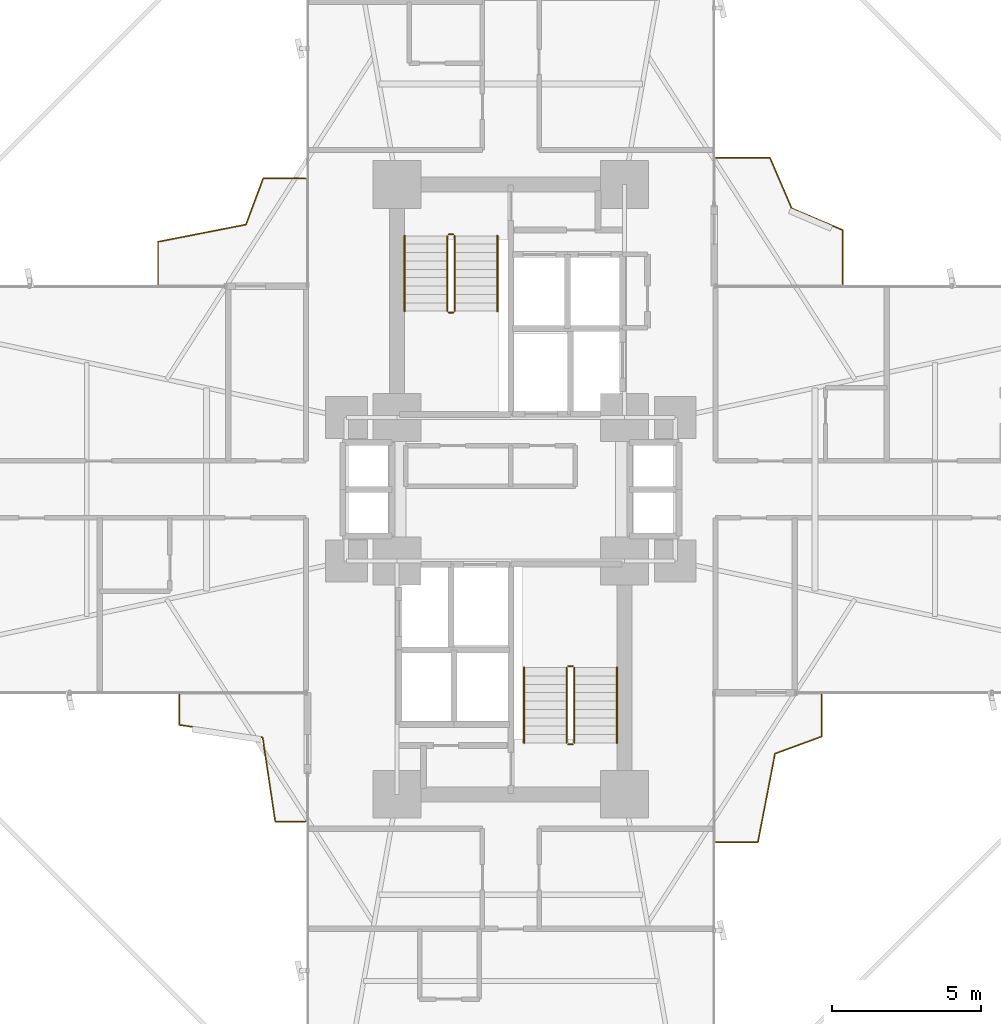
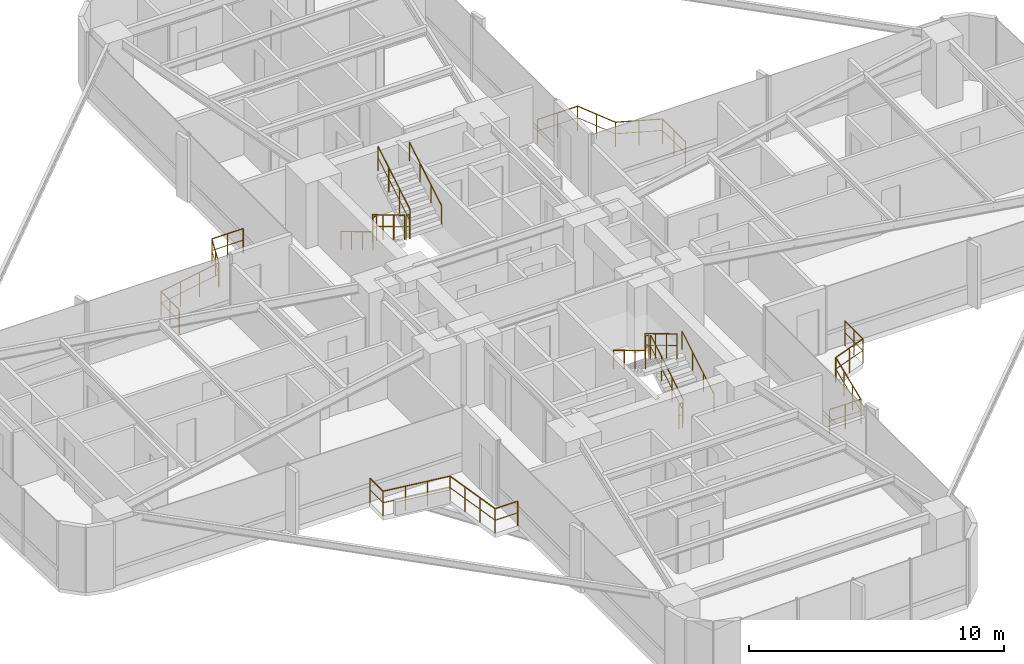
# One storey, part 26 of 26: 16 railings.
"""IFC4 building model written with IfcOpenShell, lengths in metres."""

import ifcopenshell
import ifcopenshell.guid

model = None  # the IFC model being written
_history = None  # IfcOwnerHistory: only IFC2X3 demands one
_inside = {}  # id of a spatial element -> (the spatial element, [elements in it])
_under = {}  # id of a project, library or spatial element -> (it, [spatial elements below it])
_declared = {}  # id of a project -> (the project, [libraries it declares])
_typed = {}  # id of a type object -> (the type object, [elements of that type])
_made_of = {}  # id of a material, layer set ... -> (it, [elements and type objects made of it])


def new_model(schema):
    """Start an empty IFC model of exactly this schema.

    Asked for "IFC4X3", IfcOpenShell would pick the latest addendum, in which some entities
    have other attributes; the version numbers below select the first issue.
    IFC2X3 requires an IfcOwnerHistory on every rooted entity: one is made here for all.
    """
    global model, _history
    if schema == "IFC4X3":
        model = ifcopenshell.file(schema_version=(4, 3, 0, 0))
    else:
        model = ifcopenshell.file(schema=schema)
    _inside.clear()
    _under.clear()
    _declared.clear()
    _typed.clear()
    _made_of.clear()
    _history = None
    if model.schema == "IFC2X3":
        org = make("IfcOrganization", Name="unknown")
        user = make(
            "IfcPersonAndOrganization",
            ThePerson=make("IfcPerson", FamilyName="unknown"),
            TheOrganization=org,
        )
        app = make(
            "IfcApplication",
            ApplicationDeveloper=org,
            Version="unknown",
            ApplicationFullName="unknown",
            ApplicationIdentifier="unknown",
        )
        _history = make(
            "IfcOwnerHistory",
            OwningUser=user,
            OwningApplication=app,
            ChangeAction="ADDED",
            CreationDate=0,
        )
    return model


def make(cls, **values):
    """One entity of the class cls with the attributes given. An attribute that is None is left unset."""
    return model.create_entity(
        cls, **{name: value for name, value in values.items() if value is not None}
    )


def rooted(cls, **values):
    """An entity with a GlobalId (a new one), such as an element, a storey or a relation."""
    return make(cls, GlobalId=ifcopenshell.guid.new(), OwnerHistory=_history, **values)


def si_unit(unit_type, name, prefix=None):
    """IfcSIUnit, for example si_unit("LENGTHUNIT", "METRE", prefix="MILLI")."""
    return make("IfcSIUnit", UnitType=unit_type, Prefix=prefix, Name=name)


def assignment(units):
    """IfcUnitAssignment: the units of a project."""
    return None if units is None else make("IfcUnitAssignment", Units=units)


def point(xyz):
    """IfcCartesianPoint."""
    return None if xyz is None else make("IfcCartesianPoint", Coordinates=xyz)


def direction(xyz):
    """IfcDirection."""
    return None if xyz is None else make("IfcDirection", DirectionRatios=xyz)


def frame(location, z_axis=None, x_axis=None):
    """IfcAxis2Placement3D, a coordinate frame: its origin and axes. An axis left out is left unset."""
    return make(
        "IfcAxis2Placement3D",
        Location=point(location),
        Axis=direction(z_axis),
        RefDirection=direction(x_axis),
    )


def frame_2d(location, x_axis=None):
    """IfcAxis2Placement2D, a coordinate frame in the plane: its origin and x axis."""
    return make(
        "IfcAxis2Placement2D", Location=point(location), RefDirection=direction(x_axis)
    )


def origin():
    """The frame at (0, 0, 0) with its axes left unset."""
    return frame((0.0, 0.0, 0.0))


def origin_2d():
    """The frame at (0, 0) in the plane with its x axis left unset."""
    return frame_2d((0.0, 0.0))


def place(relative_to, where):
    """IfcLocalPlacement: puts the frame where relative to a parent placement (None: the world)."""
    return make(
        "IfcLocalPlacement", PlacementRelTo=relative_to, RelativePlacement=where
    )


def context(
    kind, dimensions, precision=None, world=None, true_north=None, identifier=None
):
    """IfcGeometricRepresentationContext, for example the 3D "Model" context."""
    return make(
        "IfcGeometricRepresentationContext",
        ContextIdentifier=identifier,
        ContextType=kind,
        CoordinateSpaceDimension=dimensions,
        Precision=precision,
        WorldCoordinateSystem=world,
        TrueNorth=true_north,
    )


def subcontext(parent, identifier, kind, view, scale=None):
    """IfcGeometricRepresentationSubContext, for example "Body" below "Model"."""
    return make(
        "IfcGeometricRepresentationSubContext",
        ContextIdentifier=identifier,
        ContextType=kind,
        ParentContext=parent,
        TargetScale=scale,
        TargetView=view,
    )


def project(units=None, contexts=None):
    """IfcProject with its units and contexts."""
    return rooted(
        "IfcProject",
        Name="project",
        RepresentationContexts=contexts,
        UnitsInContext=assignment(units),
    )


def spatial(cls, under=None, at=None, **own):
    """A site, building, storey or space (cls), placed at a placement, below another one or the project."""
    s = rooted(cls, ObjectPlacement=at, **own)
    if under is not None:
        _under.setdefault(under.id(), (under, []))[1].append(s)
    return s


def profile(cls, at=None, kind="AREA", **sizes):
    """A parametric profile (cls). Its sizes go by their IFC names, for example OverallWidth=200.0."""
    return make(cls, ProfileType=kind, Position=at, **sizes)


def circle(**sizes):
    """IfcCircleProfileDef."""
    return profile("IfcCircleProfileDef", **sizes)


def extrude(swept, where, along, depth):
    """IfcExtrudedAreaSolid: the profile swept, set in the frame where, extruded along a direction by depth."""
    return make(
        "IfcExtrudedAreaSolid",
        SweptArea=swept,
        Position=where,
        ExtrudedDirection=direction(along),
        Depth=depth,
    )


def shape(context_of_items, identifier, shape_type, items):
    """IfcShapeRepresentation: the items that make up one representation, for example the "Body"."""
    return make(
        "IfcShapeRepresentation",
        ContextOfItems=context_of_items,
        RepresentationIdentifier=identifier,
        RepresentationType=shape_type,
        Items=items,
    )


def material(Name=None, Category=None):
    """IfcMaterial."""
    return make("IfcMaterial", Name=Name, Category=Category)


def made_of(thing, what):
    """Note that an element or type object is made of a material, layer set ...; save() writes the relation."""
    if what is not None:
        _made_of.setdefault(what.id(), (what, []))[1].append(thing)
    return thing


def type_object(cls, material=None, **own):
    """A type object (cls), such as IfcWallType, which elements share."""
    return made_of(rooted(cls, **own), material)


def element(
    cls,
    number,
    at=None,
    inside=None,
    cuts=None,
    type_object=None,
    material=None,
    context=None,
    identifier="Body",
    shape_type=None,
    held_by="IfcProductDefinitionShape",
    body=None,
    shapes=None,
    **own,
):
    """One element of the class cls, such as IfcWall. Its Tag is "e" and its number.

    at: its placement. inside: the storey or other place that contains it. cuts: it is an
    opening in that element (IfcRelVoidsElement). A single representation is given by context,
    identifier, shape_type and body (its items); several are given by shapes. held_by: the class
    of the entity that holds the representations. save() writes the other relations.
    """
    e = rooted(cls, Tag="e%d" % number, ObjectPlacement=at, **own)
    if body is not None:
        shapes = [shape(context, identifier, shape_type, body)]
    if shapes is not None:
        e.Representation = make(held_by, Representations=shapes)
    if inside is not None:
        _inside.setdefault(inside.id(), (inside, []))[1].append(e)
    if cuts is not None:
        rooted(
            "IfcRelVoidsElement", RelatingBuildingElement=cuts, RelatedOpeningElement=e
        )
    if type_object is not None:
        _typed.setdefault(type_object.id(), (type_object, []))[1].append(e)
    return made_of(e, material)


def aggregate(whole, parts):
    """IfcRelAggregates: a whole, such as a stair, and the parts it consists of."""
    return rooted("IfcRelAggregates", RelatingObject=whole, RelatedObjects=parts)


def save(model, path):
    """Write the relations noted so far, then the file.

    IfcRelAggregates (storeys below a building ...), IfcRelContainedInSpatialStructure (elements
    in a storey), IfcRelDefinesByType, IfcRelAssociatesMaterial and IfcRelDeclares: one each for
    every whole, place, type object, material and project.
    """
    for whole, parts in _under.values():
        aggregate(whole, parts)
    for where, things in _inside.values():
        rooted(
            "IfcRelContainedInSpatialStructure",
            RelatedElements=things,
            RelatingStructure=where,
        )
    for kind, things in _typed.values():
        rooted("IfcRelDefinesByType", RelatedObjects=things, RelatingType=kind)
    for what, things in _made_of.values():
        rooted("IfcRelAssociatesMaterial", RelatedObjects=things, RelatingMaterial=what)
    for by, libraries in _declared.values():
        rooted("IfcRelDeclares", RelatingContext=by, RelatedDefinitions=libraries)
    model.write(path)


model = new_model("IFC4")

# Units and contexts
model_context = context("Model", 3, precision=1e-05, world=origin(), true_north=direction((0.0, 1.0)))
body_context = subcontext(model_context, "Body", "Model", "MODEL_VIEW")
ifc_project = project(units=[si_unit("LENGTHUNIT", "METRE"), si_unit("AREAUNIT", "SQUARE_METRE"), si_unit("VOLUMEUNIT", "CUBIC_METRE"), si_unit("PLANEANGLEUNIT", "RADIAN"), si_unit("MASSUNIT", "GRAM", prefix="KILO")], contexts=[model_context])

# Site, building, storey
site_placement = place(None, origin())
site = spatial("IfcSite", under=ifc_project, at=site_placement, CompositionType="ELEMENT")
building_placement = place(site_placement, origin())
building = spatial("IfcBuilding", under=site, at=building_placement, Name="Sahyath Konkavel Grand Hotel", CompositionType="ELEMENT")
storey_placement = place(building_placement, frame((0.0, 0.0, 26.449951171875)))
storey = spatial("IfcBuildingStorey", under=building, at=storey_placement, Name="L06", CompositionType="ELEMENT", Elevation=26.449951171875)

# Railings
ifc_material_1 = material(Name="Anodised Bronze Aluminium", Category="aluminium")
railing_type_1 = type_object("IfcRailingType", Name="RLG-BALC-1200", PredefinedType="GUARDRAIL", material=ifc_material_1)
railing_1_placement = place(storey_placement, frame((11.111083984375, 6.860107421875, 0.0)))
element("IfcRailing", 1, at=railing_1_placement, inside=storey, type_object=railing_type_1, Name="L06 Winter-Garden Guard NE", PredefinedType="GUARDRAIL", context=body_context, shape_type="SweptSolid", body=[
    extrude(circle(Radius=0.02392578125, at=origin_2d()), frame((0.0, 0.001953125, 1.17578125), z_axis=(0.0, 1.0, 0.0), x_axis=(-1.0, 0.0, 0.0)), (0.0, 0.0, 1.0), 1.80810546875),
    extrude(circle(Radius=0.01416015625, at=origin_2d()), frame((0.0, 0.001953125, 0.6240234375), z_axis=(0.0, 1.0, 0.0), x_axis=(-1.0, 0.0, 0.0)), (0.0, 0.0, 1.0), 1.80810546875),
    extrude(circle(Radius=0.02392578125, at=origin_2d()), frame((-0.001953125, 1.812744140625, 1.17578125), z_axis=(-0.920228090811, 0.391382499459, 0.0), x_axis=(-0.391382499459, -0.920228090811, 0.0)), (0.0, 0.0, 1.0), 1.85546875),
    extrude(circle(Radius=0.01416015625, at=origin_2d()), frame((-0.001953125, 1.812744140625, 0.6240234375), z_axis=(-0.920228090811, 0.391382499459, 0.0), x_axis=(-0.391382499459, -0.920228090811, 0.0)), (0.0, 0.0, 1.0), 1.85546875),
    extrude(circle(Radius=0.02392578125, at=origin_2d()), frame((-1.7119140625, 2.541748046875, 1.17578125), z_axis=(-0.395680735955, 0.91838812884, 0.0), x_axis=(-0.91838812884, -0.395680735955, 0.0)), (0.0, 0.0, 1.0), 1.835205078125),
    extrude(circle(Radius=0.01416015625, at=origin_2d()), frame((-1.7119140625, 2.541748046875, 0.6240234375), z_axis=(-0.395680735955, 0.91838812884, 0.0), x_axis=(-0.91838812884, -0.395680735955, 0.0)), (0.0, 0.0, 1.0), 1.835205078125),
    extrude(circle(Radius=0.02392578125, at=origin_2d()), frame((-2.44091796875, 4.22900390625, 1.17578125), z_axis=(-1.0, 0.0, 0.0), x_axis=(0.0, -1.0, 0.0)), (0.0, 0.0, 1.0), 1.80810546875),
    extrude(circle(Radius=0.01416015625, at=origin_2d()), frame((-2.44091796875, 4.22900390625, 0.6240234375), z_axis=(-1.0, 0.0, 0.0), x_axis=(0.0, -1.0, 0.0)), (0.0, 0.0, 1.0), 1.80810546875),
    extrude(circle(Radius=0.02099609375, at=origin_2d()), origin(), (0.0, 0.0, 1.0), 1.15185546875),
    extrude(circle(Radius=0.02099609375, at=origin_2d()), frame((0.0, 0.906005859375, 0.0)), (0.0, 0.0, 1.0), 1.15185546875),
    extrude(circle(Radius=0.02099609375, at=origin_2d()), frame((0.0, 1.81201171875, 0.0)), (0.0, 0.0, 1.0), 1.15185546875),
    extrude(circle(Radius=0.02099609375, at=origin_2d()), frame((-0.85546875, 2.17578125, 0.0)), (0.0, 0.0, 1.0), 1.15185546875),
    extrude(circle(Radius=0.02099609375, at=origin_2d()), frame((-1.711181640625, 2.539794921875, 0.0)), (0.0, 0.0, 1.0), 1.15185546875),
    extrude(circle(Radius=0.02099609375, at=origin_2d()), frame((-2.0751953125, 3.38427734375, 0.0)), (0.0, 0.0, 1.0), 1.15185546875),
    extrude(circle(Radius=0.02099609375, at=origin_2d()), frame((-2.43896484375, 4.22900390625, 0.0)), (0.0, 0.0, 1.0), 1.15185546875),
    extrude(circle(Radius=0.02099609375, at=origin_2d()), frame((-3.344970703125, 4.22900390625, 0.0)), (0.0, 0.0, 1.0), 1.15185546875),
    extrude(circle(Radius=0.02099609375, at=origin_2d()), frame((-4.2509765625, 4.22900390625, 0.0)), (0.0, 0.0, 1.0), 1.15185546875),
])
railing_2_placement = place(storey_placement, frame((-6.860107421875, 10.39990234375, 0.0)))
element("IfcRailing", 2, at=railing_2_placement, inside=storey, type_object=railing_type_1, Name="L06 Winter-Garden Guard NW", PredefinedType="GUARDRAIL", context=body_context, shape_type="SweptSolid", body=[
    extrude(circle(Radius=0.02392578125, at=origin_2d()), frame((-0.001953125, 0.0, 1.17578125), z_axis=(-1.0, 0.0, 0.0), x_axis=(0.0, -1.0, 0.0)), (0.0, 0.0, 1.0), 1.41845703125),
    extrude(circle(Radius=0.01416015625, at=origin_2d()), frame((-0.001953125, 0.0, 0.6240234375), z_axis=(-1.0, 0.0, 0.0), x_axis=(0.0, -1.0, 0.0)), (0.0, 0.0, 1.0), 1.41845703125),
    extrude(circle(Radius=0.02392578125, at=origin_2d()), frame((-1.423095703125, -0.001953125, 1.17578125), z_axis=(-0.350342760959, -0.936621561701, 0.0), x_axis=(0.936621561701, -0.350342760959, 0.0)), (0.0, 0.0, 1.0), 1.641357421875),
    extrude(circle(Radius=0.01416015625, at=origin_2d()), frame((-1.423095703125, -0.001953125, 0.6240234375), z_axis=(-0.350342760959, -0.936621561701, 0.0), x_axis=(0.936621561701, -0.350342760959, 0.0)), (0.0, 0.0, 1.0), 1.641357421875),
    extrude(circle(Radius=0.02392578125, at=origin_2d()), frame((-2.000732421875, -1.54150390625, 1.17578125), z_axis=(-0.9813315391, -0.192323712444, 0.0), x_axis=(0.192323712444, -0.9813315391, 0.0)), (0.0, 0.0, 1.0), 2.9931640625),
    extrude(circle(Radius=0.01416015625, at=origin_2d()), frame((-2.000732421875, -1.54150390625, 0.6240234375), z_axis=(-0.9813315391, -0.192323712444, 0.0), x_axis=(0.192323712444, -0.9813315391, 0.0)), (0.0, 0.0, 1.0), 2.9931640625),
    extrude(circle(Radius=0.02392578125, at=origin_2d()), frame((-4.93994140625, -2.119384765625, 1.17578125), z_axis=(0.0, -1.0, 0.0), x_axis=(1.0, 0.0, 0.0)), (0.0, 0.0, 1.0), 1.41845703125),
    extrude(circle(Radius=0.01416015625, at=origin_2d()), frame((-4.93994140625, -2.119384765625, 0.6240234375), z_axis=(0.0, -1.0, 0.0), x_axis=(1.0, 0.0, 0.0)), (0.0, 0.0, 1.0), 1.41845703125),
    extrude(circle(Radius=0.02099609375, at=origin_2d()), origin(), (0.0, 0.0, 1.0), 1.15185546875),
    extrude(circle(Radius=0.02099609375, at=origin_2d()), frame((-0.711181640625, 0.0, 0.0)), (0.0, 0.0, 1.0), 1.15185546875),
    extrude(circle(Radius=0.02099609375, at=origin_2d()), frame((-1.42236328125, 0.0, 0.0)), (0.0, 0.0, 1.0), 1.15185546875),
    extrude(circle(Radius=0.02099609375, at=origin_2d()), frame((-1.71044921875, -0.7705078125, 0.0)), (0.0, 0.0, 1.0), 1.15185546875),
    extrude(circle(Radius=0.02099609375, at=origin_2d()), frame((-1.998779296875, -1.541015625, 0.0)), (0.0, 0.0, 1.0), 1.15185546875),
    extrude(circle(Radius=0.02099609375, at=origin_2d()), frame((-2.979248046875, -1.733154296875, 0.0)), (0.0, 0.0, 1.0), 1.15185546875),
    extrude(circle(Radius=0.02099609375, at=origin_2d()), frame((-3.95947265625, -1.92529296875, 0.0)), (0.0, 0.0, 1.0), 1.15185546875),
    extrude(circle(Radius=0.02099609375, at=origin_2d()), frame((-4.93994140625, -2.117431640625, 0.0)), (0.0, 0.0, 1.0), 1.15185546875),
    extrude(circle(Radius=0.02099609375, at=origin_2d()), frame((-4.93994140625, -2.82861328125, 0.0)), (0.0, 0.0, 1.0), 1.15185546875),
    extrude(circle(Radius=0.02099609375, at=origin_2d()), frame((-4.93994140625, -3.539794921875, 0.0)), (0.0, 0.0, 1.0), 1.15185546875),
])
railing_3_placement = place(storey_placement, frame((-11.089111328125, -6.860107421875, 0.0)))
element("IfcRailing", 3, at=railing_3_placement, inside=storey, type_object=railing_type_1, Name="L06 Winter-Garden Guard SW", PredefinedType="GUARDRAIL", context=body_context, shape_type="SweptSolid", body=[
    extrude(circle(Radius=0.02392578125, at=origin_2d()), frame((0.0, -0.001953125, 1.17578125), z_axis=(0.0, -1.0, 0.0), x_axis=(1.0, 0.0, 0.0)), (0.0, 0.0, 1.0), 1.015869140625),
    extrude(circle(Radius=0.01416015625, at=origin_2d()), frame((0.0, -0.001953125, 0.6240234375), z_axis=(0.0, -1.0, 0.0), x_axis=(1.0, 0.0, 0.0)), (0.0, 0.0, 1.0), 1.015869140625),
    extrude(circle(Radius=0.02392578125, at=origin_2d()), frame((0.001953125, -1.02001953125, 1.17578125), z_axis=(0.988842188956, -0.148966859873, 0.0), x_axis=(0.148966859873, 0.988842188956, 0.0)), (0.0, 0.0, 1.0), 2.816650390625),
    extrude(circle(Radius=0.01416015625, at=origin_2d()), frame((0.001953125, -1.02001953125, 0.6240234375), z_axis=(0.988842188956, -0.148966859873, 0.0), x_axis=(0.148966859873, 0.988842188956, 0.0)), (0.0, 0.0, 1.0), 2.816650390625),
    extrude(circle(Radius=0.02392578125, at=origin_2d()), frame((2.789306640625, -1.44189453125, 1.17578125), z_axis=(0.147827993831, -0.98901308598, 0.0), x_axis=(0.98901308598, 0.147827993831, 0.0)), (0.0, 0.0, 1.0), 2.83837890625),
    extrude(circle(Radius=0.01416015625, at=origin_2d()), frame((2.789306640625, -1.44189453125, 0.6240234375), z_axis=(0.147827993831, -0.98901308598, 0.0), x_axis=(0.98901308598, 0.147827993831, 0.0)), (0.0, 0.0, 1.0), 2.83837890625),
    extrude(circle(Radius=0.02392578125, at=origin_2d()), frame((3.211181640625, -4.2509765625, 1.17578125), z_axis=(1.0, 0.0, 0.0), x_axis=(0.0, 1.0, 0.0)), (0.0, 0.0, 1.0), 1.015869140625),
    extrude(circle(Radius=0.01416015625, at=origin_2d()), frame((3.211181640625, -4.2509765625, 0.6240234375), z_axis=(1.0, 0.0, 0.0), x_axis=(0.0, 1.0, 0.0)), (0.0, 0.0, 1.0), 1.015869140625),
    extrude(circle(Radius=0.02099609375, at=origin_2d()), origin(), (0.0, 0.0, 1.0), 1.15185546875),
    extrude(circle(Radius=0.02099609375, at=origin_2d()), frame((0.0, -1.019775390625, 0.0)), (0.0, 0.0, 1.0), 1.15185546875),
    extrude(circle(Radius=0.02099609375, at=origin_2d()), frame((0.9296875, -1.159912109375, 0.0)), (0.0, 0.0, 1.0), 1.15185546875),
    extrude(circle(Radius=0.02099609375, at=origin_2d()), frame((1.859375, -1.2998046875, 0.0)), (0.0, 0.0, 1.0), 1.15185546875),
    extrude(circle(Radius=0.02099609375, at=origin_2d()), frame((2.7890625, -1.43994140625, 0.0)), (0.0, 0.0, 1.0), 1.15185546875),
    extrude(circle(Radius=0.02099609375, at=origin_2d()), frame((2.92919921875, -2.376953125, 0.0)), (0.0, 0.0, 1.0), 1.15185546875),
    extrude(circle(Radius=0.02099609375, at=origin_2d()), frame((3.069091796875, -3.31396484375, 0.0)), (0.0, 0.0, 1.0), 1.15185546875),
    extrude(circle(Radius=0.02099609375, at=origin_2d()), frame((3.209228515625, -4.2509765625, 0.0)), (0.0, 0.0, 1.0), 1.15185546875),
    extrude(circle(Radius=0.02099609375, at=origin_2d()), frame((4.22900390625, -4.2509765625, 0.0)), (0.0, 0.0, 1.0), 1.15185546875),
])
railing_4_placement = place(storey_placement, frame((6.860107421875, -11.800048828125, 0.0)))
element("IfcRailing", 4, at=railing_4_placement, inside=storey, type_object=railing_type_1, Name="L06 Winter-Garden Guard SE", PredefinedType="GUARDRAIL", context=body_context, shape_type="SweptSolid", body=[
    extrude(circle(Radius=0.02392578125, at=origin_2d()), frame((0.001953125, 0.0, 1.17578125), z_axis=(1.0, 0.0, 0.0), x_axis=(0.0, 1.0, 0.0)), (0.0, 0.0, 1.0), 1.405517578125),
    extrude(circle(Radius=0.01416015625, at=origin_2d()), frame((0.001953125, 0.0, 0.6240234375), z_axis=(1.0, 0.0, 0.0), x_axis=(0.0, 1.0, 0.0)), (0.0, 0.0, 1.0), 1.405517578125),
    extrude(circle(Radius=0.02392578125, at=origin_2d()), frame((1.409912109375, 0.001953125, 1.17578125), z_axis=(0.189646577269, 0.981852420545, 0.0), x_axis=(-0.981852420545, 0.189646577269, 0.0)), (0.0, 0.0, 1.0), 3.009765625),
    extrude(circle(Radius=0.01416015625, at=origin_2d()), frame((1.409912109375, 0.001953125, 0.6240234375), z_axis=(0.189646577269, 0.981852420545, 0.0), x_axis=(-0.981852420545, 0.189646577269, 0.0)), (0.0, 0.0, 1.0), 3.009765625),
    extrude(circle(Radius=0.02392578125, at=origin_2d()), frame((1.98291015625, 2.959716796875, 1.17578125), z_axis=(0.938884236785, 0.344233045938, 0.0), x_axis=(-0.344233045938, 0.938884236785, 0.0)), (0.0, 0.0, 1.0), 1.65625),
    extrude(circle(Radius=0.01416015625, at=origin_2d()), frame((1.98291015625, 2.959716796875, 0.6240234375), z_axis=(0.938884236785, 0.344233045938, 0.0), x_axis=(-0.344233045938, 0.938884236785, 0.0)), (0.0, 0.0, 1.0), 1.65625),
    extrude(circle(Radius=0.02392578125, at=origin_2d()), frame((3.539794921875, 3.532470703125, 1.17578125), z_axis=(0.0, 1.0, 0.0), x_axis=(-1.0, 0.0, 0.0)), (0.0, 0.0, 1.0), 1.405517578125),
    extrude(circle(Radius=0.01416015625, at=origin_2d()), frame((3.539794921875, 3.532470703125, 0.6240234375), z_axis=(0.0, 1.0, 0.0), x_axis=(-1.0, 0.0, 0.0)), (0.0, 0.0, 1.0), 1.405517578125),
    extrude(circle(Radius=0.02099609375, at=origin_2d()), origin(), (0.0, 0.0, 1.0), 1.15185546875),
    extrude(circle(Radius=0.02099609375, at=origin_2d()), frame((0.70458984375, 0.0, 0.0)), (0.0, 0.0, 1.0), 1.15185546875),
    extrude(circle(Radius=0.02099609375, at=origin_2d()), frame((1.409423828125, 0.0, 0.0)), (0.0, 0.0, 1.0), 1.15185546875),
    extrude(circle(Radius=0.02099609375, at=origin_2d()), frame((1.599853515625, 0.986328125, 0.0)), (0.0, 0.0, 1.0), 1.15185546875),
    extrude(circle(Radius=0.02099609375, at=origin_2d()), frame((1.79052734375, 1.97265625, 0.0)), (0.0, 0.0, 1.0), 1.15185546875),
    extrude(circle(Radius=0.02099609375, at=origin_2d()), frame((1.98095703125, 2.958984375, 0.0)), (0.0, 0.0, 1.0), 1.15185546875),
    extrude(circle(Radius=0.02099609375, at=origin_2d()), frame((2.76025390625, 3.24462890625, 0.0)), (0.0, 0.0, 1.0), 1.15185546875),
    extrude(circle(Radius=0.02099609375, at=origin_2d()), frame((3.539794921875, 3.530517578125, 0.0)), (0.0, 0.0, 1.0), 1.15185546875),
    extrude(circle(Radius=0.02099609375, at=origin_2d()), frame((3.539794921875, 4.2353515625, 0.0)), (0.0, 0.0, 1.0), 1.15185546875),
    extrude(circle(Radius=0.02099609375, at=origin_2d()), frame((3.539794921875, 4.93994140625, 0.0)), (0.0, 0.0, 1.0), 1.15185546875),
])
ifc_material_2 = material(Name="Steel E350", Category="steel")
railing_type_2 = type_object("IfcRailingType", Name="RLG-STAIR-GRD", PredefinedType="GUARDRAIL", material=ifc_material_2)
railing_5_placement = place(storey_placement, frame((-2.1298828125, 8.47998046875, 0.16748046875)))
element("IfcRailing", 5, at=railing_5_placement, inside=storey, type_object=railing_type_2, Name="L06 ST-1 stair guard 1", PredefinedType="GUARDRAIL", context=body_context, shape_type="SweptSolid", body=[
    extrude(circle(Radius=0.02392578125, at=origin_2d()), frame((0.0, -0.001708984375, 1.177001953125), z_axis=(0.0, -0.858159760407, 0.513382728203), x_axis=(1.0, 0.0, 0.0)), (0.0, 0.0, 1.0), 2.9326171875),
    extrude(circle(Radius=0.01416015625, at=origin_2d()), frame((0.0, -0.001708984375, 0.625), z_axis=(0.0, -0.858159760407, 0.513382728203), x_axis=(1.0, 0.0, 0.0)), (0.0, 0.0, 1.0), 2.9326171875),
    extrude(circle(Radius=0.02099609375, at=origin_2d()), origin(), (0.0, 0.0, 1.0), 1.15185546875),
    extrude(circle(Radius=0.02099609375, at=origin_2d()), frame((0.0, -0.840087890625, 0.50244140625)), (0.0, 0.0, 1.0), 1.15185546875),
    extrude(circle(Radius=0.02099609375, at=origin_2d()), frame((0.0, -1.679931640625, 1.005126953125)), (0.0, 0.0, 1.0), 1.15185546875),
    extrude(circle(Radius=0.02099609375, at=origin_2d()), frame((0.0, -2.52001953125, 1.507568359375)), (0.0, 0.0, 1.0), 1.15185546875),
])
railing_6_placement = place(storey_placement, frame((-2.080078125, 5.909912109375, 1.675048828125)))
element("IfcRailing", 6, at=railing_6_placement, inside=storey, type_object=railing_type_2, Name="L06 ST-1 stair guard 2", PredefinedType="GUARDRAIL", context=body_context, shape_type="SweptSolid", body=[
    extrude(circle(Radius=0.02392578125, at=origin_2d()), frame((0.001953125, 0.0, 1.17578125), z_axis=(1.0, 0.0, 0.0), x_axis=(0.0, 1.0, 0.0)), (0.0, 0.0, 1.0), 0.15625),
    extrude(circle(Radius=0.01416015625, at=origin_2d()), frame((0.001953125, 0.0, 0.6240234375), z_axis=(1.0, 0.0, 0.0), x_axis=(0.0, 1.0, 0.0)), (0.0, 0.0, 1.0), 0.15625),
    extrude(circle(Radius=0.02099609375, at=origin_2d()), origin(), (0.0, 0.0, 1.0), 1.15185546875),
    extrude(circle(Radius=0.02099609375, at=origin_2d()), frame((0.16015625, 0.0, 0.0)), (0.0, 0.0, 1.0), 1.15185546875),
])
railing_7_placement = place(storey_placement, frame((-1.8701171875, 5.9599609375, 1.842529296875)))
element("IfcRailing", 7, at=railing_7_placement, inside=storey, type_object=railing_type_2, Name="L06 ST-1 stair guard 3", PredefinedType="GUARDRAIL", context=body_context, shape_type="SweptSolid", body=[
    extrude(circle(Radius=0.02392578125, at=origin_2d()), frame((0.0, 0.001708984375, 1.177001953125), z_axis=(0.0, 0.858159760407, 0.513382728203), x_axis=(-1.0, 0.0, 0.0)), (0.0, 0.0, 1.0), 2.9326171875),
    extrude(circle(Radius=0.01416015625, at=origin_2d()), frame((0.0, 0.001708984375, 0.625), z_axis=(0.0, 0.858159760407, 0.513382728203), x_axis=(-1.0, 0.0, 0.0)), (0.0, 0.0, 1.0), 2.9326171875),
    extrude(circle(Radius=0.02099609375, at=origin_2d()), origin(), (0.0, 0.0, 1.0), 1.15185546875),
    extrude(circle(Radius=0.02099609375, at=origin_2d()), frame((0.0, 0.840087890625, 0.50244140625)), (0.0, 0.0, 1.0), 1.15185546875),
    extrude(circle(Radius=0.02099609375, at=origin_2d()), frame((0.0, 1.679931640625, 1.005126953125)), (0.0, 0.0, 1.0), 1.15185546875),
    extrude(circle(Radius=0.02099609375, at=origin_2d()), frame((0.0, 2.52001953125, 1.507568359375)), (0.0, 0.0, 1.0), 1.15185546875),
])
railing_8_placement = place(storey_placement, frame((-2.080078125, 8.530029296875, 0.0)))
element("IfcRailing", 8, at=railing_8_placement, inside=storey, type_object=railing_type_2, Name="L06 ST-1 stair guard 4", PredefinedType="GUARDRAIL", context=body_context, shape_type="SweptSolid", body=[
    extrude(circle(Radius=0.02392578125, at=origin_2d()), frame((0.001953125, 0.0, 1.17578125), z_axis=(1.0, 0.0, 0.0), x_axis=(0.0, 1.0, 0.0)), (0.0, 0.0, 1.0), 0.15625),
    extrude(circle(Radius=0.01416015625, at=origin_2d()), frame((0.001953125, 0.0, 0.6240234375), z_axis=(1.0, 0.0, 0.0), x_axis=(0.0, 1.0, 0.0)), (0.0, 0.0, 1.0), 0.15625),
    extrude(circle(Radius=0.02099609375, at=origin_2d()), origin(), (0.0, 0.0, 1.0), 1.15185546875),
    extrude(circle(Radius=0.02099609375, at=origin_2d()), frame((0.16015625, 0.0, 0.0)), (0.0, 0.0, 1.0), 1.15185546875),
])
railing_9_placement = place(storey_placement, frame((2.1298828125, -8.47998046875, 0.16748046875)))
element("IfcRailing", 9, at=railing_9_placement, inside=storey, type_object=railing_type_2, Name="L06 ST-2 stair guard 1", PredefinedType="GUARDRAIL", context=body_context, shape_type="SweptSolid", body=[
    extrude(circle(Radius=0.02392578125, at=origin_2d()), frame((0.0, 0.001708984375, 1.177001953125), z_axis=(0.0, 0.858159760407, 0.513382728203), x_axis=(-1.0, 0.0, 0.0)), (0.0, 0.0, 1.0), 2.9326171875),
    extrude(circle(Radius=0.01416015625, at=origin_2d()), frame((0.0, 0.001708984375, 0.625), z_axis=(0.0, 0.858159760407, 0.513382728203), x_axis=(-1.0, 0.0, 0.0)), (0.0, 0.0, 1.0), 2.9326171875),
    extrude(circle(Radius=0.02099609375, at=origin_2d()), origin(), (0.0, 0.0, 1.0), 1.15185546875),
    extrude(circle(Radius=0.02099609375, at=origin_2d()), frame((0.0, 0.840087890625, 0.50244140625)), (0.0, 0.0, 1.0), 1.15185546875),
    extrude(circle(Radius=0.02099609375, at=origin_2d()), frame((0.0, 1.679931640625, 1.005126953125)), (0.0, 0.0, 1.0), 1.15185546875),
    extrude(circle(Radius=0.02099609375, at=origin_2d()), frame((0.0, 2.52001953125, 1.507568359375)), (0.0, 0.0, 1.0), 1.15185546875),
])
railing_10_placement = place(storey_placement, frame((2.080078125, -5.909912109375, 1.675048828125)))
element("IfcRailing", 10, at=railing_10_placement, inside=storey, type_object=railing_type_2, Name="L06 ST-2 stair guard 2", PredefinedType="GUARDRAIL", context=body_context, shape_type="SweptSolid", body=[
    extrude(circle(Radius=0.02392578125, at=origin_2d()), frame((-0.001953125, 0.0, 1.17578125), z_axis=(-1.0, 0.0, 0.0), x_axis=(0.0, -1.0, 0.0)), (0.0, 0.0, 1.0), 0.15625),
    extrude(circle(Radius=0.01416015625, at=origin_2d()), frame((-0.001953125, 0.0, 0.6240234375), z_axis=(-1.0, 0.0, 0.0), x_axis=(0.0, -1.0, 0.0)), (0.0, 0.0, 1.0), 0.15625),
    extrude(circle(Radius=0.02099609375, at=origin_2d()), origin(), (0.0, 0.0, 1.0), 1.15185546875),
    extrude(circle(Radius=0.02099609375, at=origin_2d()), frame((-0.16015625, 0.0, 0.0)), (0.0, 0.0, 1.0), 1.15185546875),
])
railing_11_placement = place(storey_placement, frame((1.8701171875, -5.9599609375, 1.842529296875)))
element("IfcRailing", 11, at=railing_11_placement, inside=storey, type_object=railing_type_2, Name="L06 ST-2 stair guard 3", PredefinedType="GUARDRAIL", context=body_context, shape_type="SweptSolid", body=[
    extrude(circle(Radius=0.02392578125, at=origin_2d()), frame((0.0, -0.001708984375, 1.177001953125), z_axis=(0.0, -0.858159760407, 0.513382728203), x_axis=(1.0, 0.0, 0.0)), (0.0, 0.0, 1.0), 2.9326171875),
    extrude(circle(Radius=0.01416015625, at=origin_2d()), frame((0.0, -0.001708984375, 0.625), z_axis=(0.0, -0.858159760407, 0.513382728203), x_axis=(1.0, 0.0, 0.0)), (0.0, 0.0, 1.0), 2.9326171875),
    extrude(circle(Radius=0.02099609375, at=origin_2d()), origin(), (0.0, 0.0, 1.0), 1.15185546875),
    extrude(circle(Radius=0.02099609375, at=origin_2d()), frame((0.0, -0.840087890625, 0.50244140625)), (0.0, 0.0, 1.0), 1.15185546875),
    extrude(circle(Radius=0.02099609375, at=origin_2d()), frame((0.0, -1.679931640625, 1.005126953125)), (0.0, 0.0, 1.0), 1.15185546875),
    extrude(circle(Radius=0.02099609375, at=origin_2d()), frame((0.0, -2.52001953125, 1.507568359375)), (0.0, 0.0, 1.0), 1.15185546875),
])
railing_12_placement = place(storey_placement, frame((2.080078125, -8.530029296875, 0.0)))
element("IfcRailing", 12, at=railing_12_placement, inside=storey, type_object=railing_type_2, Name="L06 ST-2 stair guard 4", PredefinedType="GUARDRAIL", context=body_context, shape_type="SweptSolid", body=[
    extrude(circle(Radius=0.02392578125, at=origin_2d()), frame((-0.001953125, 0.0, 1.17578125), z_axis=(-1.0, 0.0, 0.0), x_axis=(0.0, -1.0, 0.0)), (0.0, 0.0, 1.0), 0.15625),
    extrude(circle(Radius=0.01416015625, at=origin_2d()), frame((-0.001953125, 0.0, 0.6240234375), z_axis=(-1.0, 0.0, 0.0), x_axis=(0.0, -1.0, 0.0)), (0.0, 0.0, 1.0), 0.15625),
    extrude(circle(Radius=0.02099609375, at=origin_2d()), origin(), (0.0, 0.0, 1.0), 1.15185546875),
    extrude(circle(Radius=0.02099609375, at=origin_2d()), frame((-0.16015625, 0.0, 0.0)), (0.0, 0.0, 1.0), 1.15185546875),
])
railing_type_3 = type_object("IfcRailingType", Name="RLG-STAIR-HND", PredefinedType="HANDRAIL", material=ifc_material_1)
railing_13_placement = place(storey_placement, frame((-3.550048828125, 8.47998046875, 0.16748046875)))
element("IfcRailing", 13, at=railing_13_placement, inside=storey, type_object=railing_type_3, Name="L06 ST-1 stair handrail 1", PredefinedType="HANDRAIL", context=body_context, shape_type="SweptSolid", body=[
    extrude(circle(Radius=0.02392578125, at=origin_2d()), frame((0.0, -0.001708984375, 0.876953125), z_axis=(0.0, -0.858159760407, 0.513382728203), x_axis=(1.0, 0.0, 0.0)), (0.0, 0.0, 1.0), 2.9326171875),
    extrude(circle(Radius=0.02099609375, at=origin_2d()), origin(), (0.0, 0.0, 1.0), 0.851806640625),
    extrude(circle(Radius=0.02099609375, at=origin_2d()), frame((0.0, -0.840087890625, 0.50244140625)), (0.0, 0.0, 1.0), 0.851806640625),
    extrude(circle(Radius=0.02099609375, at=origin_2d()), frame((0.0, -1.679931640625, 1.005126953125)), (0.0, 0.0, 1.0), 0.851806640625),
    extrude(circle(Radius=0.02099609375, at=origin_2d()), frame((0.0, -2.52001953125, 1.507568359375)), (0.0, 0.0, 1.0), 0.851806640625),
])
for number, where, name in (
    (14, (-0.449951171875, 5.9599609375, 1.842529296875), "L06 ST-1 stair handrail 2"),
    (15, (3.550048828125, -8.47998046875, 0.16748046875), "L06 ST-2 stair handrail 1"),
):
    element("IfcRailing", number, at=place(storey_placement, frame(where)), inside=storey, type_object=railing_type_3, Name=name, PredefinedType="HANDRAIL", context=body_context, shape_type="SweptSolid", body=[
        extrude(circle(Radius=0.02392578125, at=origin_2d()), frame((0.0, 0.001708984375, 0.876953125), z_axis=(0.0, 0.858159760407, 0.513382728203), x_axis=(-1.0, 0.0, 0.0)), (0.0, 0.0, 1.0), 2.9326171875),
        extrude(circle(Radius=0.02099609375, at=origin_2d()), origin(), (0.0, 0.0, 1.0), 0.851806640625),
        extrude(circle(Radius=0.02099609375, at=origin_2d()), frame((0.0, 0.840087890625, 0.50244140625)), (0.0, 0.0, 1.0), 0.851806640625),
        extrude(circle(Radius=0.02099609375, at=origin_2d()), frame((0.0, 1.679931640625, 1.005126953125)), (0.0, 0.0, 1.0), 0.851806640625),
        extrude(circle(Radius=0.02099609375, at=origin_2d()), frame((0.0, 2.52001953125, 1.507568359375)), (0.0, 0.0, 1.0), 0.851806640625),
    ])
railing_14_placement = place(storey_placement, frame((0.449951171875, -5.9599609375, 1.842529296875)))
element("IfcRailing", 16, at=railing_14_placement, inside=storey, type_object=railing_type_3, Name="L06 ST-2 stair handrail 2", PredefinedType="HANDRAIL", context=body_context, shape_type="SweptSolid", body=[
    extrude(circle(Radius=0.02392578125, at=origin_2d()), frame((0.0, -0.001708984375, 0.876953125), z_axis=(0.0, -0.858159760407, 0.513382728203), x_axis=(1.0, 0.0, 0.0)), (0.0, 0.0, 1.0), 2.9326171875),
    extrude(circle(Radius=0.02099609375, at=origin_2d()), origin(), (0.0, 0.0, 1.0), 0.851806640625),
    extrude(circle(Radius=0.02099609375, at=origin_2d()), frame((0.0, -0.840087890625, 0.50244140625)), (0.0, 0.0, 1.0), 0.851806640625),
    extrude(circle(Radius=0.02099609375, at=origin_2d()), frame((0.0, -1.679931640625, 1.005126953125)), (0.0, 0.0, 1.0), 0.851806640625),
    extrude(circle(Radius=0.02099609375, at=origin_2d()), frame((0.0, -2.52001953125, 1.507568359375)), (0.0, 0.0, 1.0), 0.851806640625),
])

save(model, "model.ifc")
